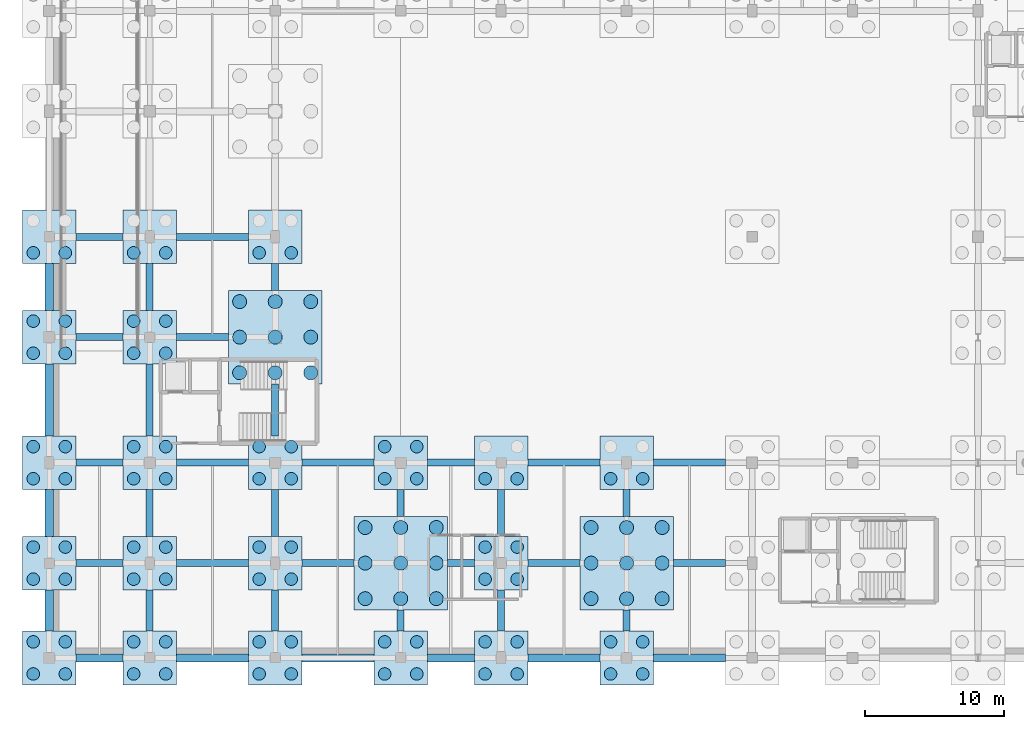
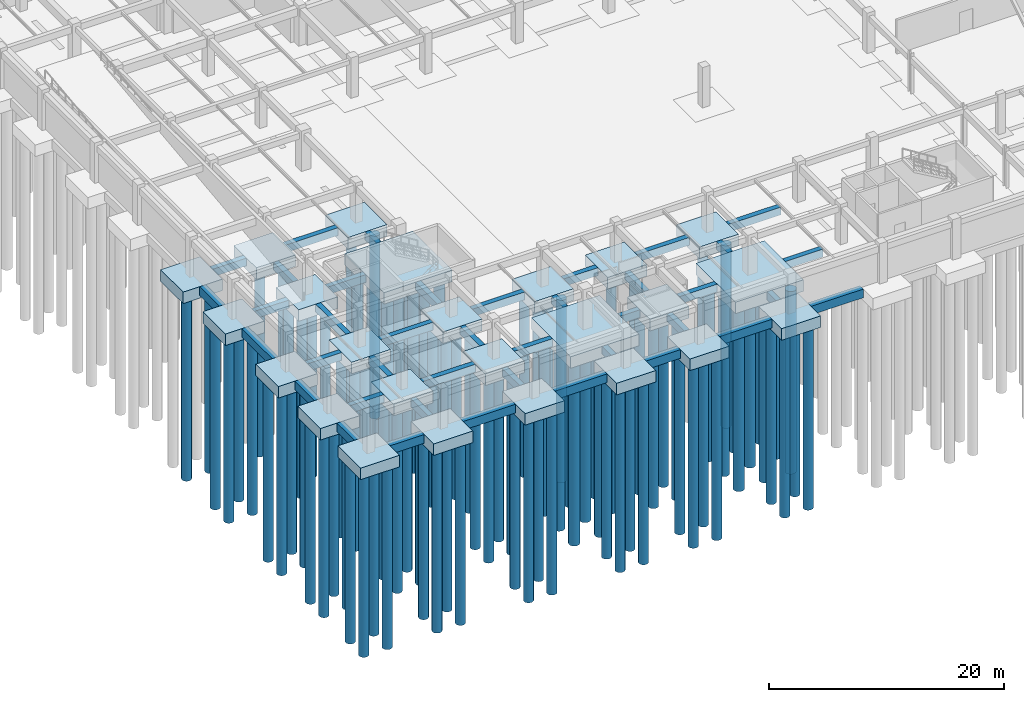
# One storey, part 1 of 42: 101 piles, 64 footings.
"""IFC4 building model written with IfcOpenShell, lengths in metres."""

import ifcopenshell
import ifcopenshell.guid

model = None  # the IFC model being written
_history = None  # IfcOwnerHistory: only IFC2X3 demands one
_inside = {}  # id of a spatial element -> (the spatial element, [elements in it])
_under = {}  # id of a project, library or spatial element -> (it, [spatial elements below it])
_declared = {}  # id of a project -> (the project, [libraries it declares])
_typed = {}  # id of a type object -> (the type object, [elements of that type])
_made_of = {}  # id of a material, layer set ... -> (it, [elements and type objects made of it])


def new_model(schema):
    """Start an empty IFC model of exactly this schema.

    Asked for "IFC4X3", IfcOpenShell would pick the latest addendum, in which some entities
    have other attributes; the version numbers below select the first issue.
    IFC2X3 requires an IfcOwnerHistory on every rooted entity: one is made here for all.
    """
    global model, _history
    if schema == "IFC4X3":
        model = ifcopenshell.file(schema_version=(4, 3, 0, 0))
    else:
        model = ifcopenshell.file(schema=schema)
    _inside.clear()
    _under.clear()
    _declared.clear()
    _typed.clear()
    _made_of.clear()
    _history = None
    if model.schema == "IFC2X3":
        org = make("IfcOrganization", Name="unknown")
        user = make(
            "IfcPersonAndOrganization",
            ThePerson=make("IfcPerson", FamilyName="unknown"),
            TheOrganization=org,
        )
        app = make(
            "IfcApplication",
            ApplicationDeveloper=org,
            Version="unknown",
            ApplicationFullName="unknown",
            ApplicationIdentifier="unknown",
        )
        _history = make(
            "IfcOwnerHistory",
            OwningUser=user,
            OwningApplication=app,
            ChangeAction="ADDED",
            CreationDate=0,
        )
    return model


def make(cls, **values):
    """One entity of the class cls with the attributes given. An attribute that is None is left unset."""
    return model.create_entity(
        cls, **{name: value for name, value in values.items() if value is not None}
    )


def rooted(cls, **values):
    """An entity with a GlobalId (a new one), such as an element, a storey or a relation."""
    return make(cls, GlobalId=ifcopenshell.guid.new(), OwnerHistory=_history, **values)


def si_unit(unit_type, name, prefix=None):
    """IfcSIUnit, for example si_unit("LENGTHUNIT", "METRE", prefix="MILLI")."""
    return make("IfcSIUnit", UnitType=unit_type, Prefix=prefix, Name=name)


def assignment(units):
    """IfcUnitAssignment: the units of a project."""
    return None if units is None else make("IfcUnitAssignment", Units=units)


def point(xyz):
    """IfcCartesianPoint."""
    return None if xyz is None else make("IfcCartesianPoint", Coordinates=xyz)


def direction(xyz):
    """IfcDirection."""
    return None if xyz is None else make("IfcDirection", DirectionRatios=xyz)


def frame(location, z_axis=None, x_axis=None):
    """IfcAxis2Placement3D, a coordinate frame: its origin and axes. An axis left out is left unset."""
    return make(
        "IfcAxis2Placement3D",
        Location=point(location),
        Axis=direction(z_axis),
        RefDirection=direction(x_axis),
    )


def frame_2d(location, x_axis=None):
    """IfcAxis2Placement2D, a coordinate frame in the plane: its origin and x axis."""
    return make(
        "IfcAxis2Placement2D", Location=point(location), RefDirection=direction(x_axis)
    )


def origin():
    """The frame at (0, 0, 0) with its axes left unset."""
    return frame((0.0, 0.0, 0.0))


def origin_2d():
    """The frame at (0, 0) in the plane with its x axis left unset."""
    return frame_2d((0.0, 0.0))


def place(relative_to, where):
    """IfcLocalPlacement: puts the frame where relative to a parent placement (None: the world)."""
    return make(
        "IfcLocalPlacement", PlacementRelTo=relative_to, RelativePlacement=where
    )


def context(
    kind, dimensions, precision=None, world=None, true_north=None, identifier=None
):
    """IfcGeometricRepresentationContext, for example the 3D "Model" context."""
    return make(
        "IfcGeometricRepresentationContext",
        ContextIdentifier=identifier,
        ContextType=kind,
        CoordinateSpaceDimension=dimensions,
        Precision=precision,
        WorldCoordinateSystem=world,
        TrueNorth=true_north,
    )


def subcontext(parent, identifier, kind, view, scale=None):
    """IfcGeometricRepresentationSubContext, for example "Body" below "Model"."""
    return make(
        "IfcGeometricRepresentationSubContext",
        ContextIdentifier=identifier,
        ContextType=kind,
        ParentContext=parent,
        TargetScale=scale,
        TargetView=view,
    )


def project(units=None, contexts=None):
    """IfcProject with its units and contexts."""
    return rooted(
        "IfcProject",
        Name="project",
        RepresentationContexts=contexts,
        UnitsInContext=assignment(units),
    )


def spatial(cls, under=None, at=None, **own):
    """A site, building, storey or space (cls), placed at a placement, below another one or the project."""
    s = rooted(cls, ObjectPlacement=at, **own)
    if under is not None:
        _under.setdefault(under.id(), (under, []))[1].append(s)
    return s


def profile(cls, at=None, kind="AREA", **sizes):
    """A parametric profile (cls). Its sizes go by their IFC names, for example OverallWidth=200.0."""
    return make(cls, ProfileType=kind, Position=at, **sizes)


def rectangle(**sizes):
    """IfcRectangleProfileDef."""
    return profile("IfcRectangleProfileDef", **sizes)


def circle(**sizes):
    """IfcCircleProfileDef."""
    return profile("IfcCircleProfileDef", **sizes)


def extrude(swept, where, along, depth):
    """IfcExtrudedAreaSolid: the profile swept, set in the frame where, extruded along a direction by depth."""
    return make(
        "IfcExtrudedAreaSolid",
        SweptArea=swept,
        Position=where,
        ExtrudedDirection=direction(along),
        Depth=depth,
    )


def shape(context_of_items, identifier, shape_type, items):
    """IfcShapeRepresentation: the items that make up one representation, for example the "Body"."""
    return make(
        "IfcShapeRepresentation",
        ContextOfItems=context_of_items,
        RepresentationIdentifier=identifier,
        RepresentationType=shape_type,
        Items=items,
    )


def material(Name=None, Category=None):
    """IfcMaterial."""
    return make("IfcMaterial", Name=Name, Category=Category)


def material_profile(
    of_material, cross_section, Name=None, Category=None, Priority=None
):
    """IfcMaterialProfile: a cross section and its material."""
    return make(
        "IfcMaterialProfile",
        Name=Name,
        Material=of_material,
        Profile=cross_section,
        Priority=Priority,
        Category=Category,
    )


def profile_set(profiles, Name=None, composite=None):
    """IfcMaterialProfileSet."""
    return make(
        "IfcMaterialProfileSet",
        Name=Name,
        MaterialProfiles=profiles,
        CompositeProfile=composite,
    )


def made_of(thing, what):
    """Note that an element or type object is made of a material, layer set ...; save() writes the relation."""
    if what is not None:
        _made_of.setdefault(what.id(), (what, []))[1].append(thing)
    return thing


def type_object(cls, material=None, **own):
    """A type object (cls), such as IfcWallType, which elements share."""
    return made_of(rooted(cls, **own), material)


def element(
    cls,
    number,
    at=None,
    inside=None,
    cuts=None,
    type_object=None,
    material=None,
    context=None,
    identifier="Body",
    shape_type=None,
    held_by="IfcProductDefinitionShape",
    body=None,
    shapes=None,
    **own,
):
    """One element of the class cls, such as IfcWall. Its Tag is "e" and its number.

    at: its placement. inside: the storey or other place that contains it. cuts: it is an
    opening in that element (IfcRelVoidsElement). A single representation is given by context,
    identifier, shape_type and body (its items); several are given by shapes. held_by: the class
    of the entity that holds the representations. save() writes the other relations.
    """
    e = rooted(cls, Tag="e%d" % number, ObjectPlacement=at, **own)
    if body is not None:
        shapes = [shape(context, identifier, shape_type, body)]
    if shapes is not None:
        e.Representation = make(held_by, Representations=shapes)
    if inside is not None:
        _inside.setdefault(inside.id(), (inside, []))[1].append(e)
    if cuts is not None:
        rooted(
            "IfcRelVoidsElement", RelatingBuildingElement=cuts, RelatedOpeningElement=e
        )
    if type_object is not None:
        _typed.setdefault(type_object.id(), (type_object, []))[1].append(e)
    return made_of(e, material)


def aggregate(whole, parts):
    """IfcRelAggregates: a whole, such as a stair, and the parts it consists of."""
    return rooted("IfcRelAggregates", RelatingObject=whole, RelatedObjects=parts)


def save(model, path):
    """Write the relations noted so far, then the file.

    IfcRelAggregates (storeys below a building ...), IfcRelContainedInSpatialStructure (elements
    in a storey), IfcRelDefinesByType, IfcRelAssociatesMaterial and IfcRelDeclares: one each for
    every whole, place, type object, material and project.
    """
    for whole, parts in _under.values():
        aggregate(whole, parts)
    for where, things in _inside.values():
        rooted(
            "IfcRelContainedInSpatialStructure",
            RelatedElements=things,
            RelatingStructure=where,
        )
    for kind, things in _typed.values():
        rooted("IfcRelDefinesByType", RelatedObjects=things, RelatingType=kind)
    for what, things in _made_of.values():
        rooted("IfcRelAssociatesMaterial", RelatedObjects=things, RelatingMaterial=what)
    for by, libraries in _declared.values():
        rooted("IfcRelDeclares", RelatingContext=by, RelatedDefinitions=libraries)
    model.write(path)


model = new_model("IFC4")

# Units and contexts
model_context = context("Model", 3, precision=1e-05, world=origin(), true_north=direction((0.0, 1.0)))
body_context = subcontext(model_context, "Body", "Model", "MODEL_VIEW")
ifc_project = project(units=[si_unit("LENGTHUNIT", "METRE"), si_unit("AREAUNIT", "SQUARE_METRE"), si_unit("VOLUMEUNIT", "CUBIC_METRE"), si_unit("PLANEANGLEUNIT", "RADIAN"), si_unit("MASSUNIT", "GRAM", prefix="KILO")], contexts=[model_context])

# Site, building, storey
site_placement = place(None, origin())
site = spatial("IfcSite", under=ifc_project, at=site_placement, CompositionType="ELEMENT")
building_placement = place(site_placement, origin())
building = spatial("IfcBuilding", under=site, at=building_placement, Name="Clarverna Civic Hall", CompositionType="ELEMENT")
storey_placement = place(building_placement, frame((0.0, 0.0, -4.199951171875)))
storey = spatial("IfcBuildingStorey", under=building, at=storey_placement, Name="B01", CompositionType="ELEMENT", Elevation=-4.199951171875)

# Footings
ifc_material = material(Name="Concrete C30/37", Category="concrete")
footing_type_1 = type_object("IfcFootingType", Name="FC-02", PredefinedType="PILE_CAP", material=ifc_material)
for number, where, z_axis, x_axis, name in (
    (1, (0.0, 0.0, -1.2001953125), (0.0, 0.0, 1.0), (1.0, 0.0, 0.0), "FC-02-019"),
    (2, (0.0, 6.800048828125, -1.2001953125), (0.0, 0.0, 1.0), (1.0, 0.0, 0.0), "FC-02-020"),
    (3, (0.0, 14.0, -1.2001953125), (0.0, 0.0, 1.0), (1.0, 0.0, 0.0), "FC-02-021"),
    (4, (0.0, 23.0, -1.2001953125), (0.0, 0.0, 1.0), (1.0, 0.0, 0.0), "FC-02-022"),
    (5, (0.0, 30.199951171875, -1.2001953125), (0.0, 0.0, 1.0), (1.0, 0.0, 0.0), "FC-02-023"),
    (6, (7.199951171875, 0.0, -1.2001953125), (0.0, 0.0, 1.0), (1.0, 0.0, 0.0), "FC-02-027"),
    (7, (7.199951171875, 6.800048828125, -1.2001953125), (0.0, 0.0, 1.0), (1.0, 0.0, 0.0), "FC-02-028"),
    (8, (7.199951171875, 14.0, -1.2001953125), (0.0, 0.0, 1.0), (1.0, 0.0, 0.0), "FC-02-029"),
    (9, (7.199951171875, 23.0, -1.2001953125), (0.0, 0.0, 1.0), (1.0, 0.0, 0.0), "FC-02-030"),
    (10, (7.199951171875, 30.199951171875, -1.2001953125), (0.0, 0.0, 1.0), (1.0, 0.0, 0.0), "FC-02-031"),
    (11, (16.199951171875, 0.0, -1.2001953125), (0.0, 0.0, 1.0), (1.0, 0.0, 0.0), "FC-02-035"),
    (12, (16.199951171875, 6.800048828125, -1.2001953125), (0.0, 0.0, 1.0), (1.0, 0.0, 0.0), "FC-02-036"),
    (13, (16.199951171875, 14.0, -1.2001953125), (0.0, 0.0, 1.0), (1.0, 0.0, 0.0), "FC-02-037"),
    (14, (16.199951171875, 30.199951171875, -1.2001953125), (0.0, 0.0, 1.0), (1.0, 0.0, 0.0), "FC-02-038"),
    (15, (25.199951171875, 0.0, -1.2001953125), (0.0, 0.0, 1.0), (1.0, 0.0, 0.0), "FC-02-041"),
    (16, (25.199951171875, 14.0, -1.2001953125), (0.0, 0.0, 1.0), (1.0, 0.0, 0.0), "FC-02-042"),
    (17, (32.39990234375, 0.0, -1.2001953125), (0.0, 0.0, 1.0), (1.0, 0.0, 0.0), "FC-02-047"),
    (18, (32.39990234375, 6.800048828125, -1.2001953125), (0.0, 0.0, 1.0), (1.0, 0.0, 0.0), "FC-02-048"),
    (19, (32.39990234375, 14.0, -1.2001953125), (0.0, 0.0, 1.0), (1.0, 0.0, 0.0), "FC-02-049"),
    (20, (41.39990234375, 0.0, -1.2001953125), (0.0, 0.0, 1.0), (1.0, 0.0, 0.0), "FC-02-054"),
    (21, (41.39990234375, 14.0, -1.2001953125), (0.0, 0.0, 1.0), (1.0, 0.0, 0.0), "FC-02-055"),
):
    element("IfcFooting", number, at=place(storey_placement, frame(where, z_axis=z_axis, x_axis=x_axis)), inside=storey, type_object=footing_type_1, Name=name, PredefinedType="PILE_CAP", context=body_context, shape_type="SweptSolid", body=[
        extrude(rectangle(XDim=3.85009765625, YDim=3.85009765625, at=origin_2d()), origin(), (0.0, 0.0, 1.0), 1.199951171875),
    ])
footing_type_2 = type_object("IfcFootingType", Name="FC-05", PredefinedType="PILE_CAP", material=ifc_material)
for number, where, z_axis, x_axis, name in (
    (22, (16.199951171875, 23.0, -1.2001953125), (0.0, 0.0, 1.0), (1.0, 0.0, 0.0), "FC-05-001"),
    (23, (25.199951171875, 6.800048828125, -1.2001953125), (0.0, 0.0, 1.0), (1.0, 0.0, 0.0), "FC-05-003"),
    (24, (41.39990234375, 6.800048828125, -1.2001953125), (0.0, 0.0, 1.0), (1.0, 0.0, 0.0), "FC-05-005"),
):
    element("IfcFooting", number, at=place(storey_placement, frame(where, z_axis=z_axis, x_axis=x_axis)), inside=storey, type_object=footing_type_2, Name=name, PredefinedType="PILE_CAP", context=body_context, shape_type="SweptSolid", body=[
        extrude(rectangle(XDim=6.699951171875, YDim=6.699951171875, at=origin_2d()), origin(), (0.0, 0.0, 1.0), 1.199951171875),
    ])
footing_type_3 = type_object("IfcFootingType", Name="GB-01", PredefinedType="FOOTING_BEAM", material=ifc_material)
footing_1_placement = place(storey_placement, frame((1.925048828125, 6.800048828125, -0.800048828125), z_axis=(0.0, 0.0, 1.0), x_axis=(1.0, 0.0, 0.0)))
element("IfcFooting", 25, at=footing_1_placement, inside=storey, type_object=footing_type_3, Name="GB-01-001", PredefinedType="FOOTING_BEAM", context=body_context, shape_type="SweptSolid", body=[
    extrude(rectangle(XDim=3.349853515625, YDim=0.5, at=frame_2d((1.6748046875, 0.0))), origin(), (0.0, 0.0, 1.0), 0.800048828125),
])
footing_2_placement = place(storey_placement, frame((9.125, 6.800048828125, -0.800048828125), z_axis=(0.0, 0.0, 1.0), x_axis=(1.0, 0.0, 0.0)))
element("IfcFooting", 26, at=footing_2_placement, inside=storey, type_object=footing_type_3, Name="GB-01-002", PredefinedType="FOOTING_BEAM", context=body_context, shape_type="SweptSolid", body=[
    extrude(rectangle(XDim=5.14990234375, YDim=0.5, at=frame_2d((2.574951171875, 0.0))), origin(), (0.0, 0.0, 1.0), 0.800048828125),
])
footing_3_placement = place(storey_placement, frame((18.125, 6.800048828125, -0.800048828125), z_axis=(0.0, 0.0, 1.0), x_axis=(1.0, 0.0, 0.0)))
element("IfcFooting", 27, at=footing_3_placement, inside=storey, type_object=footing_type_3, Name="GB-01-003", PredefinedType="FOOTING_BEAM", context=body_context, shape_type="SweptSolid", body=[
    extrude(rectangle(XDim=3.72509765625, YDim=0.5, at=frame_2d((1.862548828125, 0.0))), origin(), (0.0, 0.0, 1.0), 0.800048828125),
])
footing_4_placement = place(storey_placement, frame((28.550048828125, 6.800048828125, -0.800048828125), z_axis=(0.0, 0.0, 1.0), x_axis=(1.0, 0.0, 0.0)))
element("IfcFooting", 28, at=footing_4_placement, inside=storey, type_object=footing_type_3, Name="GB-01-004", PredefinedType="FOOTING_BEAM", context=body_context, shape_type="SweptSolid", body=[
    extrude(rectangle(XDim=1.925048828125, YDim=0.5, at=frame_2d((0.96240234375, 0.0))), origin(), (0.0, 0.0, 1.0), 0.800048828125),
])
for number, where, z_axis, x_axis, name in (
    (29, (34.324951171875, 6.800048828125, -0.800048828125), (0.0, 0.0, 1.0), (1.0, 0.0, 0.0), "GB-01-005"),
    (30, (44.75, 6.800048828125, -0.800048828125), (0.0, 0.0, 1.0), (1.0, 0.0, 0.0), "GB-01-006"),
):
    element("IfcFooting", number, at=place(storey_placement, frame(where, z_axis=z_axis, x_axis=x_axis)), inside=storey, type_object=footing_type_3, Name=name, PredefinedType="FOOTING_BEAM", context=body_context, shape_type="SweptSolid", body=[
        extrude(rectangle(XDim=3.72509765625, YDim=0.5, at=frame_2d((1.862548828125, 0.0))), origin(), (0.0, 0.0, 1.0), 0.800048828125),
    ])
footing_5_placement = place(storey_placement, frame((1.925048828125, 14.0, -0.800048828125), z_axis=(0.0, 0.0, 1.0), x_axis=(1.0, 0.0, 0.0)))
element("IfcFooting", 31, at=footing_5_placement, inside=storey, type_object=footing_type_3, Name="GB-01-019", PredefinedType="FOOTING_BEAM", context=body_context, shape_type="SweptSolid", body=[
    extrude(rectangle(XDim=3.349853515625, YDim=0.5, at=frame_2d((1.6748046875, 0.0))), origin(), (0.0, 0.0, 1.0), 0.800048828125),
])
for number, where, z_axis, x_axis, name in (
    (32, (9.125, 14.0, -0.800048828125), (0.0, 0.0, 1.0), (1.0, 0.0, 0.0), "GB-01-020"),
    (33, (18.125, 14.0, -0.800048828125), (0.0, 0.0, 1.0), (1.0, 0.0, 0.0), "GB-01-021"),
):
    element("IfcFooting", number, at=place(storey_placement, frame(where, z_axis=z_axis, x_axis=x_axis)), inside=storey, type_object=footing_type_3, Name=name, PredefinedType="FOOTING_BEAM", context=body_context, shape_type="SweptSolid", body=[
        extrude(rectangle(XDim=5.14990234375, YDim=0.5, at=frame_2d((2.574951171875, 0.0))), origin(), (0.0, 0.0, 1.0), 0.800048828125),
    ])
footing_6_placement = place(storey_placement, frame((27.125, 14.0, -0.800048828125), z_axis=(0.0, 0.0, 1.0), x_axis=(1.0, 0.0, 0.0)))
element("IfcFooting", 34, at=footing_6_placement, inside=storey, type_object=footing_type_3, Name="GB-01-022", PredefinedType="FOOTING_BEAM", context=body_context, shape_type="SweptSolid", body=[
    extrude(rectangle(XDim=3.35009765625, YDim=0.5, at=frame_2d((1.675048828125, 0.0))), origin(), (0.0, 0.0, 1.0), 0.800048828125),
])
for number, where, z_axis, x_axis, name in (
    (35, (34.324951171875, 14.0, -0.800048828125), (0.0, 0.0, 1.0), (1.0, 0.0, 0.0), "GB-01-023"),
    (36, (43.324951171875, 14.0, -0.800048828125), (0.0, 0.0, 1.0), (1.0, 0.0, 0.0), "GB-01-024"),
):
    element("IfcFooting", number, at=place(storey_placement, frame(where, z_axis=z_axis, x_axis=x_axis)), inside=storey, type_object=footing_type_3, Name=name, PredefinedType="FOOTING_BEAM", context=body_context, shape_type="SweptSolid", body=[
        extrude(rectangle(XDim=5.150146484375, YDim=0.5, at=frame_2d((2.5751953125, 0.0))), origin(), (0.0, 0.0, 1.0), 0.800048828125),
    ])
footing_7_placement = place(storey_placement, frame((1.925048828125, 23.0, -0.800048828125), z_axis=(0.0, 0.0, 1.0), x_axis=(1.0, 0.0, 0.0)))
element("IfcFooting", 37, at=footing_7_placement, inside=storey, type_object=footing_type_3, Name="GB-01-039", PredefinedType="FOOTING_BEAM", context=body_context, shape_type="SweptSolid", body=[
    extrude(rectangle(XDim=3.349853515625, YDim=0.5, at=frame_2d((1.6748046875, 0.0))), origin(), (0.0, 0.0, 1.0), 0.800048828125),
])
footing_8_placement = place(storey_placement, frame((9.125, 23.0, -0.800048828125), z_axis=(0.0, 0.0, 1.0), x_axis=(1.0, 0.0, 0.0)))
element("IfcFooting", 38, at=footing_8_placement, inside=storey, type_object=footing_type_3, Name="GB-01-040", PredefinedType="FOOTING_BEAM", context=body_context, shape_type="SweptSolid", body=[
    extrude(rectangle(XDim=3.72509765625, YDim=0.5, at=frame_2d((1.862548828125, 0.0))), origin(), (0.0, 0.0, 1.0), 0.800048828125),
])
footing_9_placement = place(storey_placement, frame((1.925048828125, 30.199951171875, -0.800048828125), z_axis=(0.0, 0.0, 1.0), x_axis=(1.0, 0.0, 0.0)))
element("IfcFooting", 39, at=footing_9_placement, inside=storey, type_object=footing_type_3, Name="GB-01-049", PredefinedType="FOOTING_BEAM", context=body_context, shape_type="SweptSolid", body=[
    extrude(rectangle(XDim=3.349853515625, YDim=0.5, at=frame_2d((1.6748046875, 0.0))), origin(), (0.0, 0.0, 1.0), 0.800048828125),
])
footing_10_placement = place(storey_placement, frame((9.125, 30.199951171875, -0.800048828125), z_axis=(0.0, 0.0, 1.0), x_axis=(1.0, 0.0, 0.0)))
element("IfcFooting", 40, at=footing_10_placement, inside=storey, type_object=footing_type_3, Name="GB-01-050", PredefinedType="FOOTING_BEAM", context=body_context, shape_type="SweptSolid", body=[
    extrude(rectangle(XDim=5.14990234375, YDim=0.5, at=frame_2d((2.574951171875, 0.0))), origin(), (0.0, 0.0, 1.0), 0.800048828125),
])
footing_11_placement = place(storey_placement, frame((7.199951171875, 1.925048828125, -0.800048828125), z_axis=(0.0, 0.0, 1.0), x_axis=(0.0, 1.0, 0.0)))
element("IfcFooting", 41, at=footing_11_placement, inside=storey, type_object=footing_type_3, Name="GB-01-172", PredefinedType="FOOTING_BEAM", context=body_context, shape_type="SweptSolid", body=[
    extrude(rectangle(XDim=2.949951171875, YDim=0.5, at=frame_2d((1.47509765625, 0.0))), origin(), (0.0, 0.0, 1.0), 0.800048828125),
])
footing_12_placement = place(storey_placement, frame((7.199951171875, 8.72509765625, -0.800048828125), z_axis=(0.0, 0.0, 1.0), x_axis=(0.0, 1.0, 0.0)))
element("IfcFooting", 42, at=footing_12_placement, inside=storey, type_object=footing_type_3, Name="GB-01-173", PredefinedType="FOOTING_BEAM", context=body_context, shape_type="SweptSolid", body=[
    extrude(rectangle(XDim=3.349853515625, YDim=0.5, at=frame_2d((1.6748046875, 0.0))), origin(), (0.0, 0.0, 1.0), 0.800048828125),
])
footing_13_placement = place(storey_placement, frame((7.199951171875, 15.925048828125, -0.800048828125), z_axis=(0.0, 0.0, 1.0), x_axis=(0.0, 1.0, 0.0)))
element("IfcFooting", 43, at=footing_13_placement, inside=storey, type_object=footing_type_3, Name="GB-01-174", PredefinedType="FOOTING_BEAM", context=body_context, shape_type="SweptSolid", body=[
    extrude(rectangle(XDim=5.14990234375, YDim=0.5, at=frame_2d((2.574951171875, 0.0))), origin(), (0.0, 0.0, 1.0), 0.800048828125),
])
footing_14_placement = place(storey_placement, frame((7.199951171875, 24.925048828125, -0.800048828125), z_axis=(0.0, 0.0, 1.0), x_axis=(0.0, 1.0, 0.0)))
element("IfcFooting", 44, at=footing_14_placement, inside=storey, type_object=footing_type_3, Name="GB-01-175", PredefinedType="FOOTING_BEAM", context=body_context, shape_type="SweptSolid", body=[
    extrude(rectangle(XDim=3.349853515625, YDim=0.5, at=frame_2d((1.6748046875, 0.0))), origin(), (0.0, 0.0, 1.0), 0.800048828125),
])
footing_15_placement = place(storey_placement, frame((16.199951171875, 1.925048828125, -0.800048828125), z_axis=(0.0, 0.0, 1.0), x_axis=(0.0, 1.0, 0.0)))
element("IfcFooting", 45, at=footing_15_placement, inside=storey, type_object=footing_type_3, Name="GB-01-185", PredefinedType="FOOTING_BEAM", context=body_context, shape_type="SweptSolid", body=[
    extrude(rectangle(XDim=2.949951171875, YDim=0.5, at=frame_2d((1.47509765625, 0.0))), origin(), (0.0, 0.0, 1.0), 0.800048828125),
])
footing_16_placement = place(storey_placement, frame((16.199951171875, 8.72509765625, -0.800048828125), z_axis=(0.0, 0.0, 1.0), x_axis=(0.0, 1.0, 0.0)))
element("IfcFooting", 46, at=footing_16_placement, inside=storey, type_object=footing_type_3, Name="GB-01-186", PredefinedType="FOOTING_BEAM", context=body_context, shape_type="SweptSolid", body=[
    extrude(rectangle(XDim=3.349853515625, YDim=0.5, at=frame_2d((1.6748046875, 0.0))), origin(), (0.0, 0.0, 1.0), 0.800048828125),
])
footing_17_placement = place(storey_placement, frame((16.199951171875, 15.925048828125, -0.800048828125), z_axis=(0.0, 0.0, 1.0), x_axis=(0.0, 1.0, 0.0)))
element("IfcFooting", 47, at=footing_17_placement, inside=storey, type_object=footing_type_3, Name="GB-01-187", PredefinedType="FOOTING_BEAM", context=body_context, shape_type="SweptSolid", body=[
    extrude(rectangle(XDim=3.724853515625, YDim=0.5, at=frame_2d((1.8623046875, 0.0))), origin(), (0.0, 0.0, 1.0), 0.800048828125),
])
footing_18_placement = place(storey_placement, frame((16.199951171875, 26.35009765625, -0.800048828125), z_axis=(0.0, 0.0, 1.0), x_axis=(0.0, 1.0, 0.0)))
element("IfcFooting", 48, at=footing_18_placement, inside=storey, type_object=footing_type_3, Name="GB-01-188", PredefinedType="FOOTING_BEAM", context=body_context, shape_type="SweptSolid", body=[
    extrude(rectangle(XDim=1.9248046875, YDim=0.5, at=frame_2d((0.96240234375, 0.0))), origin(), (0.0, 0.0, 1.0), 0.800048828125),
])
footing_19_placement = place(storey_placement, frame((25.199951171875, 1.925048828125, -0.800048828125), z_axis=(0.0, 0.0, 1.0), x_axis=(0.0, 1.0, 0.0)))
element("IfcFooting", 49, at=footing_19_placement, inside=storey, type_object=footing_type_3, Name="GB-01-198", PredefinedType="FOOTING_BEAM", context=body_context, shape_type="SweptSolid", body=[
    extrude(rectangle(XDim=1.52490234375, YDim=0.5, at=frame_2d((0.762451171875, 0.0))), origin(), (0.0, 0.0, 1.0), 0.800048828125),
])
footing_20_placement = place(storey_placement, frame((25.199951171875, 10.14990234375, -0.800048828125), z_axis=(0.0, 0.0, 1.0), x_axis=(0.0, 1.0, 0.0)))
element("IfcFooting", 50, at=footing_20_placement, inside=storey, type_object=footing_type_3, Name="GB-01-199", PredefinedType="FOOTING_BEAM", context=body_context, shape_type="SweptSolid", body=[
    extrude(rectangle(XDim=1.925048828125, YDim=0.5, at=frame_2d((0.96240234375, 0.0))), origin(), (0.0, 0.0, 1.0), 0.800048828125),
])
footing_21_placement = place(storey_placement, frame((32.39990234375, 1.925048828125, -0.800048828125), z_axis=(0.0, 0.0, 1.0), x_axis=(0.0, 1.0, 0.0)))
element("IfcFooting", 51, at=footing_21_placement, inside=storey, type_object=footing_type_3, Name="GB-01-205", PredefinedType="FOOTING_BEAM", context=body_context, shape_type="SweptSolid", body=[
    extrude(rectangle(XDim=2.949951171875, YDim=0.5, at=frame_2d((1.47509765625, 0.0))), origin(), (0.0, 0.0, 1.0), 0.800048828125),
])
footing_22_placement = place(storey_placement, frame((32.39990234375, 8.72509765625, -0.800048828125), z_axis=(0.0, 0.0, 1.0), x_axis=(0.0, 1.0, 0.0)))
element("IfcFooting", 52, at=footing_22_placement, inside=storey, type_object=footing_type_3, Name="GB-01-206", PredefinedType="FOOTING_BEAM", context=body_context, shape_type="SweptSolid", body=[
    extrude(rectangle(XDim=3.349853515625, YDim=0.5, at=frame_2d((1.6748046875, 0.0))), origin(), (0.0, 0.0, 1.0), 0.800048828125),
])
footing_23_placement = place(storey_placement, frame((41.39990234375, 1.925048828125, -0.800048828125), z_axis=(0.0, 0.0, 1.0), x_axis=(0.0, 1.0, 0.0)))
element("IfcFooting", 53, at=footing_23_placement, inside=storey, type_object=footing_type_3, Name="GB-01-212", PredefinedType="FOOTING_BEAM", context=body_context, shape_type="SweptSolid", body=[
    extrude(rectangle(XDim=1.52490234375, YDim=0.5, at=frame_2d((0.762451171875, 0.0))), origin(), (0.0, 0.0, 1.0), 0.800048828125),
])
footing_24_placement = place(storey_placement, frame((41.39990234375, 10.14990234375, -0.800048828125), z_axis=(0.0, 0.0, 1.0), x_axis=(0.0, 1.0, 0.0)))
element("IfcFooting", 54, at=footing_24_placement, inside=storey, type_object=footing_type_3, Name="GB-01-213", PredefinedType="FOOTING_BEAM", context=body_context, shape_type="SweptSolid", body=[
    extrude(rectangle(XDim=1.925048828125, YDim=0.5, at=frame_2d((0.96240234375, 0.0))), origin(), (0.0, 0.0, 1.0), 0.800048828125),
])
footing_type_4 = type_object("IfcFootingType", Name="GB-02", PredefinedType="FOOTING_BEAM", material=ifc_material)
footing_25_placement = place(storey_placement, frame((1.925048828125, 0.0, -0.900146484375), z_axis=(0.0, 0.0, 1.0), x_axis=(1.0, 0.0, 0.0)))
element("IfcFooting", 55, at=footing_25_placement, inside=storey, type_object=footing_type_4, Name="GB-02-001", PredefinedType="FOOTING_BEAM", context=body_context, shape_type="SweptSolid", body=[
    extrude(rectangle(XDim=3.349853515625, YDim=0.60009765625, at=frame_2d((1.6748046875, 0.0))), origin(), (0.0, 0.0, 1.0), 0.900146484375),
])
for number, where, z_axis, x_axis, name in (
    (56, (9.125, 0.0, -0.900146484375), (0.0, 0.0, 1.0), (1.0, 0.0, 0.0), "GB-02-002"),
    (57, (18.125, 0.0, -0.900146484375), (0.0, 0.0, 1.0), (1.0, 0.0, 0.0), "GB-02-003"),
):
    element("IfcFooting", number, at=place(storey_placement, frame(where, z_axis=z_axis, x_axis=x_axis)), inside=storey, type_object=footing_type_4, Name=name, PredefinedType="FOOTING_BEAM", context=body_context, shape_type="SweptSolid", body=[
        extrude(rectangle(XDim=5.14990234375, YDim=0.60009765625, at=frame_2d((2.574951171875, 0.0))), origin(), (0.0, 0.0, 1.0), 0.900146484375),
    ])
footing_26_placement = place(storey_placement, frame((27.125, 0.0, -0.900146484375), z_axis=(0.0, 0.0, 1.0), x_axis=(1.0, 0.0, 0.0)))
element("IfcFooting", 58, at=footing_26_placement, inside=storey, type_object=footing_type_4, Name="GB-02-004", PredefinedType="FOOTING_BEAM", context=body_context, shape_type="SweptSolid", body=[
    extrude(rectangle(XDim=3.35009765625, YDim=0.60009765625, at=frame_2d((1.675048828125, 0.0))), origin(), (0.0, 0.0, 1.0), 0.900146484375),
])
for number, where, z_axis, x_axis, name in (
    (59, (34.324951171875, 0.0, -0.900146484375), (0.0, 0.0, 1.0), (1.0, 0.0, 0.0), "GB-02-005"),
    (60, (43.324951171875, 0.0, -0.900146484375), (0.0, 0.0, 1.0), (1.0, 0.0, 0.0), "GB-02-006"),
):
    element("IfcFooting", number, at=place(storey_placement, frame(where, z_axis=z_axis, x_axis=x_axis)), inside=storey, type_object=footing_type_4, Name=name, PredefinedType="FOOTING_BEAM", context=body_context, shape_type="SweptSolid", body=[
        extrude(rectangle(XDim=5.150146484375, YDim=0.60009765625, at=frame_2d((2.5751953125, 0.0))), origin(), (0.0, 0.0, 1.0), 0.900146484375),
    ])
footing_27_placement = place(storey_placement, frame((0.0, 1.925048828125, -0.900146484375), z_axis=(0.0, 0.0, 1.0), x_axis=(0.0, 1.0, 0.0)))
element("IfcFooting", 61, at=footing_27_placement, inside=storey, type_object=footing_type_4, Name="GB-02-035", PredefinedType="FOOTING_BEAM", context=body_context, shape_type="SweptSolid", body=[
    extrude(rectangle(XDim=2.949951171875, YDim=0.60009765625, at=frame_2d((1.47509765625, 0.0))), origin(), (0.0, 0.0, 1.0), 0.900146484375),
])
footing_28_placement = place(storey_placement, frame((0.0, 8.72509765625, -0.900146484375), z_axis=(0.0, 0.0, 1.0), x_axis=(0.0, 1.0, 0.0)))
element("IfcFooting", 62, at=footing_28_placement, inside=storey, type_object=footing_type_4, Name="GB-02-036", PredefinedType="FOOTING_BEAM", context=body_context, shape_type="SweptSolid", body=[
    extrude(rectangle(XDim=3.349853515625, YDim=0.60009765625, at=frame_2d((1.6748046875, 0.0))), origin(), (0.0, 0.0, 1.0), 0.900146484375),
])
footing_29_placement = place(storey_placement, frame((0.0, 15.925048828125, -0.900146484375), z_axis=(0.0, 0.0, 1.0), x_axis=(0.0, 1.0, 0.0)))
element("IfcFooting", 63, at=footing_29_placement, inside=storey, type_object=footing_type_4, Name="GB-02-037", PredefinedType="FOOTING_BEAM", context=body_context, shape_type="SweptSolid", body=[
    extrude(rectangle(XDim=5.14990234375, YDim=0.60009765625, at=frame_2d((2.574951171875, 0.0))), origin(), (0.0, 0.0, 1.0), 0.900146484375),
])
footing_30_placement = place(storey_placement, frame((0.0, 24.925048828125, -0.900146484375), z_axis=(0.0, 0.0, 1.0), x_axis=(0.0, 1.0, 0.0)))
element("IfcFooting", 64, at=footing_30_placement, inside=storey, type_object=footing_type_4, Name="GB-02-038", PredefinedType="FOOTING_BEAM", context=body_context, shape_type="SweptSolid", body=[
    extrude(rectangle(XDim=3.349853515625, YDim=0.60009765625, at=frame_2d((1.6748046875, 0.0))), origin(), (0.0, 0.0, 1.0), 0.900146484375),
])

# Piles
ifc_material_profile_1 = material_profile(ifc_material, circle(Radius=0.449951171875, at=origin_2d()), Name="BORED PILE D900")
ifc_profile_set_1 = profile_set([ifc_material_profile_1], Name="Concrete C30/37")
pile_type_1 = type_object("IfcPileType", Name="PL-01", PredefinedType="BORED", material=ifc_profile_set_1)
for number, where, z_axis, x_axis, name in (
    (65, (-1.14990234375, -1.14990234375, -1.10009765625), (0.0, 0.0, -1.0), (1.0, 0.0, 0.0), "PL-01-118"),
    (66, (1.14990234375, -1.14990234375, -1.10009765625), (0.0, 0.0, -1.0), (1.0, 0.0, 0.0), "PL-01-119"),
    (67, (-1.14990234375, 1.14990234375, -1.10009765625), (0.0, 0.0, -1.0), (1.0, 0.0, 0.0), "PL-01-120"),
    (68, (1.14990234375, 1.14990234375, -1.10009765625), (0.0, 0.0, -1.0), (1.0, 0.0, 0.0), "PL-01-121"),
    (69, (-1.14990234375, 5.64990234375, -1.10009765625), (0.0, 0.0, -1.0), (1.0, 0.0, 0.0), "PL-01-122"),
    (70, (1.14990234375, 5.64990234375, -1.10009765625), (0.0, 0.0, -1.0), (1.0, 0.0, 0.0), "PL-01-123"),
    (71, (-1.14990234375, 7.949951171875, -1.10009765625), (0.0, 0.0, -1.0), (1.0, 0.0, 0.0), "PL-01-124"),
    (72, (1.14990234375, 7.949951171875, -1.10009765625), (0.0, 0.0, -1.0), (1.0, 0.0, 0.0), "PL-01-125"),
    (73, (-1.14990234375, 12.85009765625, -1.10009765625), (0.0, 0.0, -1.0), (1.0, 0.0, 0.0), "PL-01-126"),
    (74, (1.14990234375, 12.85009765625, -1.10009765625), (0.0, 0.0, -1.0), (1.0, 0.0, 0.0), "PL-01-127"),
    (75, (-1.14990234375, 15.14990234375, -1.10009765625), (0.0, 0.0, -1.0), (1.0, 0.0, 0.0), "PL-01-128"),
    (76, (1.14990234375, 15.14990234375, -1.10009765625), (0.0, 0.0, -1.0), (1.0, 0.0, 0.0), "PL-01-129"),
    (77, (-1.14990234375, 21.85009765625, -1.10009765625), (0.0, 0.0, -1.0), (1.0, 0.0, 0.0), "PL-01-130"),
    (78, (1.14990234375, 21.85009765625, -1.10009765625), (0.0, 0.0, -1.0), (1.0, 0.0, 0.0), "PL-01-131"),
    (79, (-1.14990234375, 24.14990234375, -1.10009765625), (0.0, 0.0, -1.0), (1.0, 0.0, 0.0), "PL-01-132"),
    (80, (1.14990234375, 24.14990234375, -1.10009765625), (0.0, 0.0, -1.0), (1.0, 0.0, 0.0), "PL-01-133"),
    (81, (-1.14990234375, 29.050048828125, -1.10009765625), (0.0, 0.0, -1.0), (1.0, 0.0, 0.0), "PL-01-134"),
    (82, (1.14990234375, 29.050048828125, -1.10009765625), (0.0, 0.0, -1.0), (1.0, 0.0, 0.0), "PL-01-135"),
    (83, (6.050048828125, -1.14990234375, -1.10009765625), (0.0, 0.0, -1.0), (1.0, 0.0, 0.0), "PL-01-150"),
    (84, (8.35009765625, -1.14990234375, -1.10009765625), (0.0, 0.0, -1.0), (1.0, 0.0, 0.0), "PL-01-151"),
    (85, (6.050048828125, 1.14990234375, -1.10009765625), (0.0, 0.0, -1.0), (1.0, 0.0, 0.0), "PL-01-152"),
    (86, (8.35009765625, 1.14990234375, -1.10009765625), (0.0, 0.0, -1.0), (1.0, 0.0, 0.0), "PL-01-153"),
    (87, (6.050048828125, 5.64990234375, -1.10009765625), (0.0, 0.0, -1.0), (1.0, 0.0, 0.0), "PL-01-154"),
    (88, (8.35009765625, 5.64990234375, -1.10009765625), (0.0, 0.0, -1.0), (1.0, 0.0, 0.0), "PL-01-155"),
    (89, (6.050048828125, 7.949951171875, -1.10009765625), (0.0, 0.0, -1.0), (1.0, 0.0, 0.0), "PL-01-156"),
    (90, (8.35009765625, 7.949951171875, -1.10009765625), (0.0, 0.0, -1.0), (1.0, 0.0, 0.0), "PL-01-157"),
    (91, (6.050048828125, 12.85009765625, -1.10009765625), (0.0, 0.0, -1.0), (1.0, 0.0, 0.0), "PL-01-158"),
    (92, (8.35009765625, 12.85009765625, -1.10009765625), (0.0, 0.0, -1.0), (1.0, 0.0, 0.0), "PL-01-159"),
    (93, (6.050048828125, 15.14990234375, -1.10009765625), (0.0, 0.0, -1.0), (1.0, 0.0, 0.0), "PL-01-160"),
    (94, (8.35009765625, 15.14990234375, -1.10009765625), (0.0, 0.0, -1.0), (1.0, 0.0, 0.0), "PL-01-161"),
    (95, (6.050048828125, 21.85009765625, -1.10009765625), (0.0, 0.0, -1.0), (1.0, 0.0, 0.0), "PL-01-162"),
    (96, (8.35009765625, 21.85009765625, -1.10009765625), (0.0, 0.0, -1.0), (1.0, 0.0, 0.0), "PL-01-163"),
    (97, (6.050048828125, 24.14990234375, -1.10009765625), (0.0, 0.0, -1.0), (1.0, 0.0, 0.0), "PL-01-164"),
    (98, (8.35009765625, 24.14990234375, -1.10009765625), (0.0, 0.0, -1.0), (1.0, 0.0, 0.0), "PL-01-165"),
    (99, (6.050048828125, 29.050048828125, -1.10009765625), (0.0, 0.0, -1.0), (1.0, 0.0, 0.0), "PL-01-166"),
    (100, (8.35009765625, 29.050048828125, -1.10009765625), (0.0, 0.0, -1.0), (1.0, 0.0, 0.0), "PL-01-167"),
    (101, (15.050048828125, -1.14990234375, -1.10009765625), (0.0, 0.0, -1.0), (1.0, 0.0, 0.0), "PL-01-182"),
    (102, (17.35009765625, -1.14990234375, -1.10009765625), (0.0, 0.0, -1.0), (1.0, 0.0, 0.0), "PL-01-183"),
    (103, (15.050048828125, 1.14990234375, -1.10009765625), (0.0, 0.0, -1.0), (1.0, 0.0, 0.0), "PL-01-184"),
    (104, (17.35009765625, 1.14990234375, -1.10009765625), (0.0, 0.0, -1.0), (1.0, 0.0, 0.0), "PL-01-185"),
    (105, (15.050048828125, 5.64990234375, -1.10009765625), (0.0, 0.0, -1.0), (1.0, 0.0, 0.0), "PL-01-186"),
    (106, (17.35009765625, 5.64990234375, -1.10009765625), (0.0, 0.0, -1.0), (1.0, 0.0, 0.0), "PL-01-187"),
    (107, (15.050048828125, 7.949951171875, -1.10009765625), (0.0, 0.0, -1.0), (1.0, 0.0, 0.0), "PL-01-188"),
    (108, (17.35009765625, 7.949951171875, -1.10009765625), (0.0, 0.0, -1.0), (1.0, 0.0, 0.0), "PL-01-189"),
    (109, (15.050048828125, 12.85009765625, -1.10009765625), (0.0, 0.0, -1.0), (1.0, 0.0, 0.0), "PL-01-190"),
    (110, (17.35009765625, 12.85009765625, -1.10009765625), (0.0, 0.0, -1.0), (1.0, 0.0, 0.0), "PL-01-191"),
    (111, (15.050048828125, 15.14990234375, -1.10009765625), (0.0, 0.0, -1.0), (1.0, 0.0, 0.0), "PL-01-192"),
    (112, (17.35009765625, 15.14990234375, -1.10009765625), (0.0, 0.0, -1.0), (1.0, 0.0, 0.0), "PL-01-193"),
    (113, (15.050048828125, 29.050048828125, -1.10009765625), (0.0, 0.0, -1.0), (1.0, 0.0, 0.0), "PL-01-194"),
    (114, (17.35009765625, 29.050048828125, -1.10009765625), (0.0, 0.0, -1.0), (1.0, 0.0, 0.0), "PL-01-195"),
    (115, (24.050048828125, -1.14990234375, -1.10009765625), (0.0, 0.0, -1.0), (1.0, 0.0, 0.0), "PL-01-206"),
    (116, (26.35009765625, -1.14990234375, -1.10009765625), (0.0, 0.0, -1.0), (1.0, 0.0, 0.0), "PL-01-207"),
    (117, (24.050048828125, 1.14990234375, -1.10009765625), (0.0, 0.0, -1.0), (1.0, 0.0, 0.0), "PL-01-208"),
    (118, (26.35009765625, 1.14990234375, -1.10009765625), (0.0, 0.0, -1.0), (1.0, 0.0, 0.0), "PL-01-209"),
    (119, (24.050048828125, 12.85009765625, -1.10009765625), (0.0, 0.0, -1.0), (1.0, 0.0, 0.0), "PL-01-210"),
    (120, (26.35009765625, 12.85009765625, -1.10009765625), (0.0, 0.0, -1.0), (1.0, 0.0, 0.0), "PL-01-211"),
    (121, (24.050048828125, 15.14990234375, -1.10009765625), (0.0, 0.0, -1.0), (1.0, 0.0, 0.0), "PL-01-212"),
    (122, (26.35009765625, 15.14990234375, -1.10009765625), (0.0, 0.0, -1.0), (1.0, 0.0, 0.0), "PL-01-213"),
    (123, (31.25, -1.14990234375, -1.10009765625), (0.0, 0.0, -1.0), (1.0, 0.0, 0.0), "PL-01-230"),
    (124, (33.550048828125, -1.14990234375, -1.10009765625), (0.0, 0.0, -1.0), (1.0, 0.0, 0.0), "PL-01-231"),
    (125, (31.25, 1.14990234375, -1.10009765625), (0.0, 0.0, -1.0), (1.0, 0.0, 0.0), "PL-01-232"),
    (126, (33.550048828125, 1.14990234375, -1.10009765625), (0.0, 0.0, -1.0), (1.0, 0.0, 0.0), "PL-01-233"),
    (127, (31.25, 5.64990234375, -1.10009765625), (0.0, 0.0, -1.0), (1.0, 0.0, 0.0), "PL-01-234"),
    (128, (33.550048828125, 5.64990234375, -1.10009765625), (0.0, 0.0, -1.0), (1.0, 0.0, 0.0), "PL-01-235"),
    (129, (31.25, 7.949951171875, -1.10009765625), (0.0, 0.0, -1.0), (1.0, 0.0, 0.0), "PL-01-236"),
    (130, (33.550048828125, 7.949951171875, -1.10009765625), (0.0, 0.0, -1.0), (1.0, 0.0, 0.0), "PL-01-237"),
    (131, (31.25, 12.85009765625, -1.10009765625), (0.0, 0.0, -1.0), (1.0, 0.0, 0.0), "PL-01-238"),
    (132, (33.550048828125, 12.85009765625, -1.10009765625), (0.0, 0.0, -1.0), (1.0, 0.0, 0.0), "PL-01-239"),
    (133, (40.25, -1.14990234375, -1.10009765625), (0.0, 0.0, -1.0), (1.0, 0.0, 0.0), "PL-01-258"),
    (134, (42.550048828125, -1.14990234375, -1.10009765625), (0.0, 0.0, -1.0), (1.0, 0.0, 0.0), "PL-01-259"),
    (135, (40.25, 1.14990234375, -1.10009765625), (0.0, 0.0, -1.0), (1.0, 0.0, 0.0), "PL-01-260"),
    (136, (42.550048828125, 1.14990234375, -1.10009765625), (0.0, 0.0, -1.0), (1.0, 0.0, 0.0), "PL-01-261"),
    (137, (40.25, 12.85009765625, -1.10009765625), (0.0, 0.0, -1.0), (1.0, 0.0, 0.0), "PL-01-262"),
    (138, (42.550048828125, 12.85009765625, -1.10009765625), (0.0, 0.0, -1.0), (1.0, 0.0, 0.0), "PL-01-263"),
):
    element("IfcPile", number, at=place(storey_placement, frame(where, z_axis=z_axis, x_axis=x_axis)), inside=storey, type_object=pile_type_1, Name=name, PredefinedType="BORED", context=body_context, shape_type="SweptSolid", body=[
        extrude(circle(Radius=0.449951171875, at=origin_2d()), origin(), (0.0, 0.0, 1.0), 19.0),
    ])
ifc_material_profile_2 = material_profile(ifc_material, circle(Radius=0.5, at=origin_2d()), Name="BORED PILE D1000")
ifc_profile_set_2 = profile_set([ifc_material_profile_2], Name="Concrete C30/37")
pile_type_2 = type_object("IfcPileType", Name="PL-02", PredefinedType="BORED", material=ifc_profile_set_2)
for number, where, z_axis, x_axis, name in (
    (139, (13.64990234375, 20.449951171875, -1.10009765625), (0.0, 0.0, -1.0), (1.0, 0.0, 0.0), "PL-02-061"),
    (140, (13.64990234375, 23.0, -1.10009765625), (0.0, 0.0, -1.0), (1.0, 0.0, 0.0), "PL-02-062"),
    (141, (13.64990234375, 25.550048828125, -1.10009765625), (0.0, 0.0, -1.0), (1.0, 0.0, 0.0), "PL-02-063"),
    (142, (16.199951171875, 20.449951171875, -1.10009765625), (0.0, 0.0, -1.0), (1.0, 0.0, 0.0), "PL-02-064"),
    (143, (16.199951171875, 23.0, -1.10009765625), (0.0, 0.0, -1.0), (1.0, 0.0, 0.0), "PL-02-065"),
    (144, (16.199951171875, 25.550048828125, -1.10009765625), (0.0, 0.0, -1.0), (1.0, 0.0, 0.0), "PL-02-066"),
    (145, (18.75, 20.449951171875, -1.10009765625), (0.0, 0.0, -1.0), (1.0, 0.0, 0.0), "PL-02-067"),
    (146, (18.75, 23.0, -1.10009765625), (0.0, 0.0, -1.0), (1.0, 0.0, 0.0), "PL-02-068"),
    (147, (18.75, 25.550048828125, -1.10009765625), (0.0, 0.0, -1.0), (1.0, 0.0, 0.0), "PL-02-069"),
    (148, (22.64990234375, 4.25, -1.10009765625), (0.0, 0.0, -1.0), (1.0, 0.0, 0.0), "PL-02-107"),
    (149, (22.64990234375, 6.800048828125, -1.10009765625), (0.0, 0.0, -1.0), (1.0, 0.0, 0.0), "PL-02-108"),
    (150, (22.64990234375, 9.35009765625, -1.10009765625), (0.0, 0.0, -1.0), (1.0, 0.0, 0.0), "PL-02-109"),
    (151, (25.199951171875, 4.25, -1.10009765625), (0.0, 0.0, -1.0), (1.0, 0.0, 0.0), "PL-02-110"),
    (152, (25.199951171875, 6.800048828125, -1.10009765625), (0.0, 0.0, -1.0), (1.0, 0.0, 0.0), "PL-02-111"),
    (153, (25.199951171875, 9.35009765625, -1.10009765625), (0.0, 0.0, -1.0), (1.0, 0.0, 0.0), "PL-02-112"),
    (154, (27.75, 4.25, -1.10009765625), (0.0, 0.0, -1.0), (1.0, 0.0, 0.0), "PL-02-113"),
    (155, (27.75, 6.800048828125, -1.10009765625), (0.0, 0.0, -1.0), (1.0, 0.0, 0.0), "PL-02-114"),
    (156, (27.75, 9.35009765625, -1.10009765625), (0.0, 0.0, -1.0), (1.0, 0.0, 0.0), "PL-02-115"),
    (157, (38.85009765625, 4.25, -1.10009765625), (0.0, 0.0, -1.0), (1.0, 0.0, 0.0), "PL-02-145"),
    (158, (38.85009765625, 6.800048828125, -1.10009765625), (0.0, 0.0, -1.0), (1.0, 0.0, 0.0), "PL-02-146"),
    (159, (38.85009765625, 9.35009765625, -1.10009765625), (0.0, 0.0, -1.0), (1.0, 0.0, 0.0), "PL-02-147"),
    (160, (41.39990234375, 4.25, -1.10009765625), (0.0, 0.0, -1.0), (1.0, 0.0, 0.0), "PL-02-148"),
    (161, (41.39990234375, 6.800048828125, -1.10009765625), (0.0, 0.0, -1.0), (1.0, 0.0, 0.0), "PL-02-149"),
    (162, (41.39990234375, 9.35009765625, -1.10009765625), (0.0, 0.0, -1.0), (1.0, 0.0, 0.0), "PL-02-150"),
    (163, (43.949951171875, 4.25, -1.10009765625), (0.0, 0.0, -1.0), (1.0, 0.0, 0.0), "PL-02-151"),
    (164, (43.949951171875, 6.800048828125, -1.10009765625), (0.0, 0.0, -1.0), (1.0, 0.0, 0.0), "PL-02-152"),
    (165, (43.949951171875, 9.35009765625, -1.10009765625), (0.0, 0.0, -1.0), (1.0, 0.0, 0.0), "PL-02-153"),
):
    element("IfcPile", number, at=place(storey_placement, frame(where, z_axis=z_axis, x_axis=x_axis)), inside=storey, type_object=pile_type_2, Name=name, PredefinedType="BORED", context=body_context, shape_type="SweptSolid", body=[
        extrude(circle(Radius=0.5, at=origin_2d()), origin(), (0.0, 0.0, 1.0), 19.0),
    ])

save(model, "model.ifc")
